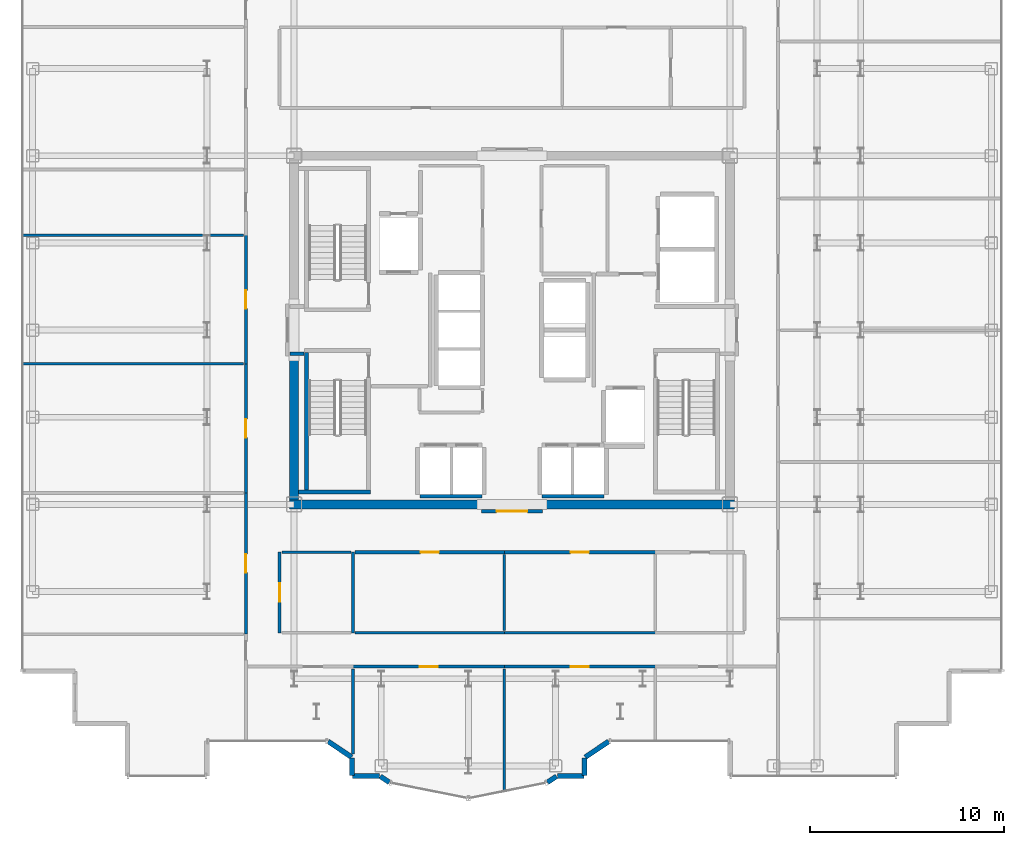
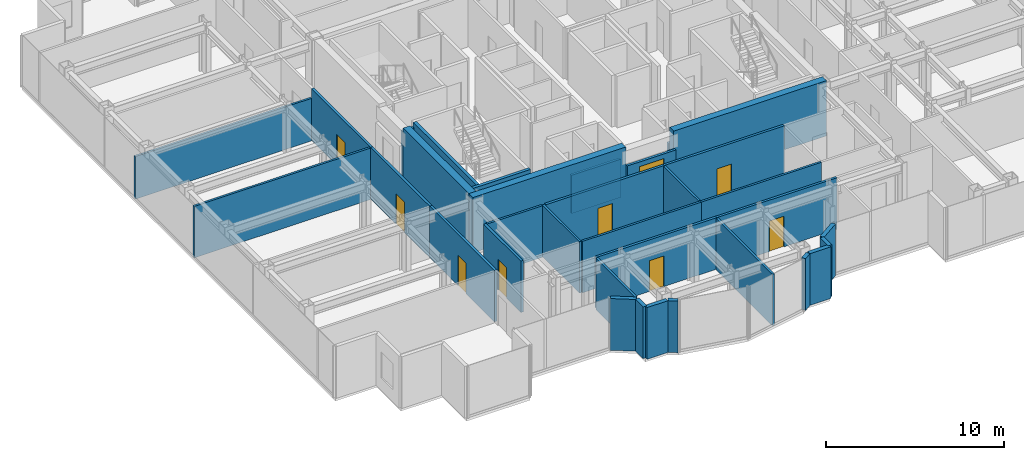
# One storey, part 14 of 20: 34 walls, 9 doors, 9 openings.
"""IFC4 building model written with IfcOpenShell, lengths in metres."""

import ifcopenshell
import ifcopenshell.guid

model = None  # the IFC model being written
_history = None  # IfcOwnerHistory: only IFC2X3 demands one
_inside = {}  # id of a spatial element -> (the spatial element, [elements in it])
_under = {}  # id of a project, library or spatial element -> (it, [spatial elements below it])
_declared = {}  # id of a project -> (the project, [libraries it declares])
_typed = {}  # id of a type object -> (the type object, [elements of that type])
_made_of = {}  # id of a material, layer set ... -> (it, [elements and type objects made of it])


def new_model(schema):
    """Start an empty IFC model of exactly this schema.

    Asked for "IFC4X3", IfcOpenShell would pick the latest addendum, in which some entities
    have other attributes; the version numbers below select the first issue.
    IFC2X3 requires an IfcOwnerHistory on every rooted entity: one is made here for all.
    """
    global model, _history
    if schema == "IFC4X3":
        model = ifcopenshell.file(schema_version=(4, 3, 0, 0))
    else:
        model = ifcopenshell.file(schema=schema)
    _inside.clear()
    _under.clear()
    _declared.clear()
    _typed.clear()
    _made_of.clear()
    _history = None
    if model.schema == "IFC2X3":
        org = make("IfcOrganization", Name="unknown")
        user = make(
            "IfcPersonAndOrganization",
            ThePerson=make("IfcPerson", FamilyName="unknown"),
            TheOrganization=org,
        )
        app = make(
            "IfcApplication",
            ApplicationDeveloper=org,
            Version="unknown",
            ApplicationFullName="unknown",
            ApplicationIdentifier="unknown",
        )
        _history = make(
            "IfcOwnerHistory",
            OwningUser=user,
            OwningApplication=app,
            ChangeAction="ADDED",
            CreationDate=0,
        )
    return model


def make(cls, **values):
    """One entity of the class cls with the attributes given. An attribute that is None is left unset."""
    return model.create_entity(
        cls, **{name: value for name, value in values.items() if value is not None}
    )


def rooted(cls, **values):
    """An entity with a GlobalId (a new one), such as an element, a storey or a relation."""
    return make(cls, GlobalId=ifcopenshell.guid.new(), OwnerHistory=_history, **values)


def si_unit(unit_type, name, prefix=None):
    """IfcSIUnit, for example si_unit("LENGTHUNIT", "METRE", prefix="MILLI")."""
    return make("IfcSIUnit", UnitType=unit_type, Prefix=prefix, Name=name)


def assignment(units):
    """IfcUnitAssignment: the units of a project."""
    return None if units is None else make("IfcUnitAssignment", Units=units)


def point(xyz):
    """IfcCartesianPoint."""
    return None if xyz is None else make("IfcCartesianPoint", Coordinates=xyz)


def direction(xyz):
    """IfcDirection."""
    return None if xyz is None else make("IfcDirection", DirectionRatios=xyz)


def frame(location, z_axis=None, x_axis=None):
    """IfcAxis2Placement3D, a coordinate frame: its origin and axes. An axis left out is left unset."""
    return make(
        "IfcAxis2Placement3D",
        Location=point(location),
        Axis=direction(z_axis),
        RefDirection=direction(x_axis),
    )


def frame_2d(location, x_axis=None):
    """IfcAxis2Placement2D, a coordinate frame in the plane: its origin and x axis."""
    return make(
        "IfcAxis2Placement2D", Location=point(location), RefDirection=direction(x_axis)
    )


def origin():
    """The frame at (0, 0, 0) with its axes left unset."""
    return frame((0.0, 0.0, 0.0))


def place(relative_to, where):
    """IfcLocalPlacement: puts the frame where relative to a parent placement (None: the world)."""
    return make(
        "IfcLocalPlacement", PlacementRelTo=relative_to, RelativePlacement=where
    )


def context(
    kind, dimensions, precision=None, world=None, true_north=None, identifier=None
):
    """IfcGeometricRepresentationContext, for example the 3D "Model" context."""
    return make(
        "IfcGeometricRepresentationContext",
        ContextIdentifier=identifier,
        ContextType=kind,
        CoordinateSpaceDimension=dimensions,
        Precision=precision,
        WorldCoordinateSystem=world,
        TrueNorth=true_north,
    )


def subcontext(parent, identifier, kind, view, scale=None):
    """IfcGeometricRepresentationSubContext, for example "Body" below "Model"."""
    return make(
        "IfcGeometricRepresentationSubContext",
        ContextIdentifier=identifier,
        ContextType=kind,
        ParentContext=parent,
        TargetScale=scale,
        TargetView=view,
    )


def project(units=None, contexts=None):
    """IfcProject with its units and contexts."""
    return rooted(
        "IfcProject",
        Name="project",
        RepresentationContexts=contexts,
        UnitsInContext=assignment(units),
    )


def spatial(cls, under=None, at=None, **own):
    """A site, building, storey or space (cls), placed at a placement, below another one or the project."""
    s = rooted(cls, ObjectPlacement=at, **own)
    if under is not None:
        _under.setdefault(under.id(), (under, []))[1].append(s)
    return s


def profile(cls, at=None, kind="AREA", **sizes):
    """A parametric profile (cls). Its sizes go by their IFC names, for example OverallWidth=200.0."""
    return make(cls, ProfileType=kind, Position=at, **sizes)


def rectangle(**sizes):
    """IfcRectangleProfileDef."""
    return profile("IfcRectangleProfileDef", **sizes)


def extrude(swept, where, along, depth):
    """IfcExtrudedAreaSolid: the profile swept, set in the frame where, extruded along a direction by depth."""
    return make(
        "IfcExtrudedAreaSolid",
        SweptArea=swept,
        Position=where,
        ExtrudedDirection=direction(along),
        Depth=depth,
    )


def shape(context_of_items, identifier, shape_type, items):
    """IfcShapeRepresentation: the items that make up one representation, for example the "Body"."""
    return make(
        "IfcShapeRepresentation",
        ContextOfItems=context_of_items,
        RepresentationIdentifier=identifier,
        RepresentationType=shape_type,
        Items=items,
    )


def source(mapping_origin, context_of_items, identifier, shape_type, items):
    """IfcRepresentationMap: a shape defined once, which mapped items show again and again."""
    return make(
        "IfcRepresentationMap",
        MappingOrigin=mapping_origin,
        MappedRepresentation=shape(context_of_items, identifier, shape_type, items),
    )


def transform(
    local_origin,
    x_axis=None,
    y_axis=None,
    z_axis=None,
    scale=None,
    scale2=None,
    scale3=None,
    uniform=True,
):
    """IfcCartesianTransformationOperator3D, or its non-uniform kind. x_axis, y_axis, z_axis: its Axis1, 2, 3."""
    if uniform:
        return make(
            "IfcCartesianTransformationOperator3D",
            Axis1=direction(x_axis),
            Axis2=direction(y_axis),
            LocalOrigin=point(local_origin),
            Scale=scale,
            Axis3=direction(z_axis),
        )
    return make(
        "IfcCartesianTransformationOperator3DnonUniform",
        Axis1=direction(x_axis),
        Axis2=direction(y_axis),
        LocalOrigin=point(local_origin),
        Scale=scale,
        Axis3=direction(z_axis),
        Scale2=scale2,
        Scale3=scale3,
    )


def mapped(mapping_source, mapping_target):
    """IfcMappedItem: shows the shape of a source again, moved by a transform."""
    return make(
        "IfcMappedItem", MappingSource=mapping_source, MappingTarget=mapping_target
    )


def material(Name=None, Category=None):
    """IfcMaterial."""
    return make("IfcMaterial", Name=Name, Category=Category)


def layer(
    of_material, thickness, ventilated=None, Name=None, Category=None, Priority=None
):
    """IfcMaterialLayer: one layer of a wall or slab, of a material (None: an air gap)."""
    return make(
        "IfcMaterialLayer",
        Material=of_material,
        LayerThickness=thickness,
        IsVentilated=ventilated,
        Name=Name,
        Category=Category,
        Priority=Priority,
    )


def layer_set(layers, Name=None):
    """IfcMaterialLayerSet."""
    return make("IfcMaterialLayerSet", MaterialLayers=layers, LayerSetName=Name)


def made_of(thing, what):
    """Note that an element or type object is made of a material, layer set ...; save() writes the relation."""
    if what is not None:
        _made_of.setdefault(what.id(), (what, []))[1].append(thing)
    return thing


def type_object(cls, material=None, **own):
    """A type object (cls), such as IfcWallType, which elements share."""
    return made_of(rooted(cls, **own), material)


def element(
    cls,
    number,
    at=None,
    inside=None,
    cuts=None,
    type_object=None,
    material=None,
    context=None,
    identifier="Body",
    shape_type=None,
    held_by="IfcProductDefinitionShape",
    body=None,
    shapes=None,
    **own,
):
    """One element of the class cls, such as IfcWall. Its Tag is "e" and its number.

    at: its placement. inside: the storey or other place that contains it. cuts: it is an
    opening in that element (IfcRelVoidsElement). A single representation is given by context,
    identifier, shape_type and body (its items); several are given by shapes. held_by: the class
    of the entity that holds the representations. save() writes the other relations.
    """
    e = rooted(cls, Tag="e%d" % number, ObjectPlacement=at, **own)
    if body is not None:
        shapes = [shape(context, identifier, shape_type, body)]
    if shapes is not None:
        e.Representation = make(held_by, Representations=shapes)
    if inside is not None:
        _inside.setdefault(inside.id(), (inside, []))[1].append(e)
    if cuts is not None:
        rooted(
            "IfcRelVoidsElement", RelatingBuildingElement=cuts, RelatedOpeningElement=e
        )
    if type_object is not None:
        _typed.setdefault(type_object.id(), (type_object, []))[1].append(e)
    return made_of(e, material)


def fill(opening, filler):
    """IfcRelFillsElement: the door or window that sits in an opening."""
    return rooted(
        "IfcRelFillsElement",
        RelatingOpeningElement=opening,
        RelatedBuildingElement=filler,
    )


def aggregate(whole, parts):
    """IfcRelAggregates: a whole, such as a stair, and the parts it consists of."""
    return rooted("IfcRelAggregates", RelatingObject=whole, RelatedObjects=parts)


def save(model, path):
    """Write the relations noted so far, then the file.

    IfcRelAggregates (storeys below a building ...), IfcRelContainedInSpatialStructure (elements
    in a storey), IfcRelDefinesByType, IfcRelAssociatesMaterial and IfcRelDeclares: one each for
    every whole, place, type object, material and project.
    """
    for whole, parts in _under.values():
        aggregate(whole, parts)
    for where, things in _inside.values():
        rooted(
            "IfcRelContainedInSpatialStructure",
            RelatedElements=things,
            RelatingStructure=where,
        )
    for kind, things in _typed.values():
        rooted("IfcRelDefinesByType", RelatedObjects=things, RelatingType=kind)
    for what, things in _made_of.values():
        rooted("IfcRelAssociatesMaterial", RelatedObjects=things, RelatingMaterial=what)
    for by, libraries in _declared.values():
        rooted("IfcRelDeclares", RelatingContext=by, RelatedDefinitions=libraries)
    model.write(path)


model = new_model("IFC4")

# Units and contexts
model_context = context("Model", 3, precision=1e-05, world=origin(), true_north=direction((0.0, 1.0)))
body_context = subcontext(model_context, "Body", "Model", "MODEL_VIEW")
ifc_project = project(units=[si_unit("LENGTHUNIT", "METRE"), si_unit("AREAUNIT", "SQUARE_METRE"), si_unit("VOLUMEUNIT", "CUBIC_METRE"), si_unit("PLANEANGLEUNIT", "RADIAN"), si_unit("MASSUNIT", "GRAM", prefix="KILO")], contexts=[model_context])

# Site, building, storey
site_placement = place(None, origin())
site = spatial("IfcSite", under=ifc_project, at=site_placement, CompositionType="ELEMENT")
building_placement = place(site_placement, origin())
building = spatial("IfcBuilding", under=site, at=building_placement, Name="Nefas-Gora Pilgrimage Tower", CompositionType="ELEMENT")
storey_placement = place(building_placement, frame((0.0, 0.0, 214.199951171875)))
storey = spatial("IfcBuildingStorey", under=building, at=storey_placement, Name="L53", CompositionType="ELEMENT", Elevation=214.199951171875)

# Walls
ifc_material_1 = material(Name="Concrete C50/60", Category="concrete")
ifc_layer_1 = layer(ifc_material_1, 0.449951171875)
ifc_layer_set_1 = layer_set([ifc_layer_1], Name="Concrete C50/60")
wall_type_1 = type_object("IfcWallType", Name="SW-CORE-450", PredefinedType="SHEAR", material=ifc_layer_set_1)
shared_shape_1 = source(origin(), body_context, "Body", "SweptSolid", [
    extrude(rectangle(XDim=9.925048828125, YDim=0.449951171875, at=frame_2d((4.96240234375, 0.0))), origin(), (0.0, 0.0, 1.0), 3.800048828125),
])
for number, where, z_axis, x_axis, name in (
    (1, (-11.47509765625, -9.0, 0.0), (0.0, 0.0, 1.0), (1.0, 0.0, 0.0), "L53 Core Shear Wall S-West"),
    (2, (1.550048828125, -9.0, 0.0), (0.0, 0.0, 1.0), (1.0, 0.0, 0.0), "L53 Core Shear Wall S-East"),
):
    element("IfcWall", number, at=place(storey_placement, frame(where, z_axis=z_axis, x_axis=x_axis)), inside=storey, type_object=wall_type_1, Name=name, PredefinedType="SHEAR", context=body_context, shape_type="MappedRepresentation", body=[
        mapped(shared_shape_1, transform((0.0, 0.0, 0.0), x_axis=(1.0, 0.0, 0.0), y_axis=(0.0, 1.0, 0.0), z_axis=(0.0, 0.0, 1.0), scale=1.0)),
    ])
shared_shape_2 = source(origin(), body_context, "Body", "SweptSolid", [
    extrude(rectangle(XDim=7.4248046875, YDim=0.449951171875, at=frame_2d((3.71240234375, 0.0))), origin(), (0.0, 0.0, 1.0), 3.800048828125),
])
wall_1_placement = place(storey_placement, frame((-11.25, -8.77490234375, 0.0), z_axis=(0.0, 0.0, 1.0), x_axis=(0.0, 1.0, 0.0)))
element("IfcWall", 3, at=wall_1_placement, inside=storey, type_object=wall_type_1, Name="L53 Core Shear Wall W-South", PredefinedType="SHEAR", context=body_context, shape_type="MappedRepresentation", body=[
    mapped(shared_shape_2, transform((0.0, 0.0, 0.0), x_axis=(1.0, 0.0, 0.0), y_axis=(0.0, 1.0, 0.0), z_axis=(0.0, 0.0, 1.0), scale=1.0)),
])
ifc_material_2 = material(Name="Precast concrete C40/50", Category="concrete")
ifc_layer_2 = layer(ifc_material_2, 0.260009765625)
ifc_layer_set_2 = layer_set([ifc_layer_2], Name="Precast concrete C40/50")
wall_type_2 = type_object("IfcWallType", Name="EW-PORTAL-260", PredefinedType="SOLIDWALL", material=ifc_layer_set_2)
shared_shape_3 = source(origin(), body_context, "Body", "SweptSolid", [
    extrude(rectangle(XDim=1.468994140625, YDim=0.260009765625, at=frame_2d((0.734375, 0.0))), origin(), (0.0, 0.0, 1.0), 3.550048828125),
])
for number, where, z_axis, x_axis, name in (
    (4, (-9.49462890625, -21.235595703125, 0.0), (0.0, 0.0, 1.0), (0.831461760506, -0.555581983884, 0.0), "L53 Lobe Shoulder Precast Spandrel Pier 29"),
    (5, (3.773193359375, -22.0517578125, 0.0), (0.0, 0.0, 1.0), (0.831461760506, 0.555581983884, 0.0), "L53 Lobe Shoulder Precast Spandrel Pier 36"),
):
    element("IfcWall", number, at=place(storey_placement, frame(where, z_axis=z_axis, x_axis=x_axis)), inside=storey, type_object=wall_type_2, Name=name, PredefinedType="SOLIDWALL", context=body_context, shape_type="MappedRepresentation", body=[
        mapped(shared_shape_3, transform((0.0, 0.0, 0.0), x_axis=(1.0, 0.0, 0.0), y_axis=(0.0, 1.0, 0.0), z_axis=(0.0, 0.0, 1.0), scale=1.0)),
    ])
shared_shape_4 = source(origin(), body_context, "Body", "SweptSolid", [
    extrude(rectangle(XDim=0.896728515625, YDim=0.260009765625, at=frame_2d((0.4482421875, 0.0))), origin(), (0.0, 0.0, 1.0), 3.550048828125),
])
for number, where, z_axis, x_axis, name in (
    (6, (-8.25, -22.09521484375, 0.0), (0.0, 0.0, 1.0), (0.0, -1.0, 0.0), "L53 Lobe Shoulder Precast Spandrel Pier 30"),
    (7, (3.75, -22.991943359375, 0.0), (0.0, 0.0, 1.0), (0.0, 1.0, 0.0), "L53 Lobe Shoulder Precast Spandrel Pier 35"),
):
    element("IfcWall", number, at=place(storey_placement, frame(where, z_axis=z_axis, x_axis=x_axis)), inside=storey, type_object=wall_type_2, Name=name, PredefinedType="SOLIDWALL", context=body_context, shape_type="MappedRepresentation", body=[
        mapped(shared_shape_4, transform((0.0, 0.0, 0.0), x_axis=(1.0, 0.0, 0.0), y_axis=(0.0, 1.0, 0.0), z_axis=(0.0, 0.0, 1.0), scale=1.0)),
    ])
shared_shape_5 = source(origin(), body_context, "Body", "SweptSolid", [
    extrude(rectangle(XDim=1.369873046875, YDim=0.260009765625, at=frame_2d((0.68505859375, 0.0))), origin(), (0.0, 0.0, 1.0), 3.550048828125),
])
for number, where, z_axis, x_axis, name in (
    (8, (-8.221923828125, -23.02001953125, 0.0), (0.0, 0.0, 1.0), (1.0, 0.0, 0.0), "L53 Lobe Shoulder Precast Spandrel Pier 31"),
    (9, (2.35205078125, -23.02001953125, 0.0), (0.0, 0.0, 1.0), (1.0, 0.0, 0.0), "L53 Lobe Shoulder Precast Spandrel Pier 34"),
):
    element("IfcWall", number, at=place(storey_placement, frame(where, z_axis=z_axis, x_axis=x_axis)), inside=storey, type_object=wall_type_2, Name=name, PredefinedType="SOLIDWALL", context=body_context, shape_type="MappedRepresentation", body=[
        mapped(shared_shape_5, transform((0.0, 0.0, 0.0), x_axis=(1.0, 0.0, 0.0), y_axis=(0.0, 1.0, 0.0), z_axis=(0.0, 0.0, 1.0), scale=1.0)),
    ])
shared_shape_6 = source(origin(), body_context, "Body", "SweptSolid", [
    extrude(rectangle(XDim=0.5654296875, YDim=0.260009765625, at=frame_2d((0.28271484375, 0.0))), origin(), (0.0, 0.0, 1.0), 3.550048828125),
])
for number, where, z_axis, x_axis, name in (
    (10, (-6.80078125, -23.03564453125, 0.0), (0.0, 0.0, 1.0), (0.831651492666, -0.555297933317, 0.0), "L53 Lobe Shoulder Precast Spandrel Pier 32"),
    (11, (1.83056640625, -23.349609375, 0.0), (0.0, 0.0, 1.0), (0.831651492666, 0.555297933317, 0.0), "L53 Lobe Shoulder Precast Spandrel Pier 33"),
):
    element("IfcWall", number, at=place(storey_placement, frame(where, z_axis=z_axis, x_axis=x_axis)), inside=storey, type_object=wall_type_2, Name=name, PredefinedType="SOLIDWALL", context=body_context, shape_type="MappedRepresentation", body=[
        mapped(shared_shape_6, transform((0.0, 0.0, 0.0), x_axis=(1.0, 0.0, 0.0), y_axis=(0.0, 1.0, 0.0), z_axis=(0.0, 0.0, 1.0), scale=1.0)),
    ])
ifc_material_3 = material(Name="Concrete C45/55", Category="concrete")
ifc_layer_3 = layer(ifc_material_3, 0.199951171875)
ifc_layer_set_3 = layer_set([ifc_layer_3], Name="Concrete C45/55")
wall_type_3 = type_object("IfcWallType", Name="IW-STAIR-200", PredefinedType="SOLIDWALL", material=ifc_layer_set_3)
shared_shape_7 = source(origin(), body_context, "Body", "SweptSolid", [
    extrude(rectangle(XDim=7.10009765625, YDim=0.199951171875, at=frame_2d((3.550048828125, 0.0))), origin(), (0.0, 0.0, 1.0), 3.800048828125),
])
wall_2_placement = place(storey_placement, frame((-10.60009765625, -1.14990234375, 0.0), z_axis=(0.0, 0.0, 1.0), x_axis=(0.0, -1.0, 0.0)))
element("IfcWall", 12, at=wall_2_placement, inside=storey, type_object=wall_type_3, Name="L53 Stairwell Shear Wall ST-03-left", PredefinedType="SOLIDWALL", context=body_context, shape_type="MappedRepresentation", body=[
    mapped(shared_shape_7, transform((0.0, 0.0, 0.0), x_axis=(1.0, 0.0, 0.0), y_axis=(0.0, 1.0, 0.0), z_axis=(0.0, 0.0, 1.0), scale=1.0)),
])
shared_shape_8 = source(origin(), body_context, "Body", "SweptSolid", [
    extrude(rectangle(XDim=3.72998046875, YDim=0.199951171875, at=frame_2d((1.864990234375, 0.0))), origin(), (0.0, 0.0, 1.0), 3.800048828125),
])
wall_3_placement = place(storey_placement, frame((-11.030029296875, -8.35009765625, 0.0), z_axis=(0.0, 0.0, 1.0), x_axis=(1.0, 0.0, 0.0)))
element("IfcWall", 13, at=wall_3_placement, inside=storey, type_object=wall_type_3, Name="L53 Stairwell Shear Wall ST-03-far", PredefinedType="SOLIDWALL", context=body_context, shape_type="MappedRepresentation", body=[
    mapped(shared_shape_8, transform((0.0, 0.0, 0.0), x_axis=(1.0, 0.0, 0.0), y_axis=(0.0, 1.0, 0.0), z_axis=(0.0, 0.0, 1.0), scale=1.0)),
])
ifc_material_4 = material(Name="Gypsum acoustic stud partition")
ifc_layer_4 = layer(ifc_material_4, 0.159912109375)
ifc_layer_set_4 = layer_set([ifc_layer_4], Name="Gypsum acoustic stud partition")
wall_type_4 = type_object("IfcWallType", Name="IW-CORR-160", PredefinedType="PARTITIONING", material=ifc_layer_set_4)
shared_shape_9 = source(origin(), body_context, "Body", "SweptSolid", [
    extrude(rectangle(XDim=3.199951171875, YDim=0.159912109375, at=frame_2d((1.60009765625, 0.0))), origin(), (0.0, 0.0, 1.0), 2.625),
])
for number, where, z_axis, x_axis, name in (
    (14, (-4.75, -8.580078125, 0.0), (0.0, 0.0, 1.0), (1.0, 0.0, 0.0), "L53 Hoistway Wall PL2-W-S"),
    (15, (1.550048828125, -8.580078125, 0.0), (0.0, 0.0, 1.0), (1.0, 0.0, 0.0), "L53 Hoistway Wall PL2-E-S"),
):
    element("IfcWall", number, at=place(storey_placement, frame(where, z_axis=z_axis, x_axis=x_axis)), inside=storey, type_object=wall_type_4, Name=name, PredefinedType="PARTITIONING", context=body_context, shape_type="MappedRepresentation", body=[
        mapped(shared_shape_9, transform((0.0, 0.0, 0.0), x_axis=(1.0, 0.0, 0.0), y_axis=(0.0, 1.0, 0.0), z_axis=(0.0, 0.0, 1.0), scale=1.0)),
    ])
ifc_material_5 = material(Name="Gypsum fire-rated shaftwall")
ifc_layer_5 = layer(ifc_material_5, 0.199951171875)
ifc_layer_set_5 = layer_set([ifc_layer_5], Name="Gypsum fire-rated shaftwall")
wall_type_5 = type_object("IfcWallType", Name="IW-FFLOB-200", PredefinedType="PARTITIONING", material=ifc_layer_set_5)
shared_shape_10 = source(origin(), body_context, "Body", "SweptSolid", [
    extrude(rectangle(XDim=0.719970703125, YDim=0.199951171875, at=frame_2d((0.35986328125, 0.0))), origin(), (0.0, 0.0, 1.0), 3.53515625),
])
wall_4_placement = place(storey_placement, frame((-11.4599609375, -1.219970703125, 0.0), z_axis=(0.0, 0.0, 1.0), x_axis=(1.0, 0.0, 0.0)))
element("IfcWall", 16, at=wall_4_placement, inside=storey, type_object=wall_type_5, Name="L53 FF Lobby West Throat S Wall 8", PredefinedType="PARTITIONING", context=body_context, shape_type="MappedRepresentation", body=[
    mapped(shared_shape_10, transform((0.0, 0.0, 0.0), x_axis=(1.0, 0.0, 0.0), y_axis=(0.0, 1.0, 0.0), z_axis=(0.0, 0.0, 1.0), scale=1.0)),
])
ifc_material_6 = material(Name="Gypsum twin-stud partition")
ifc_layer_6 = layer(ifc_material_6, 0.139892578125)
ifc_layer_set_6 = layer_set([ifc_layer_6], Name="Gypsum twin-stud partition")
wall_type_6 = type_object("IfcWallType", Name="IW-UNIT-140", PredefinedType="PARTITIONING", material=ifc_layer_set_6)
shared_shape_11 = source(origin(), body_context, "Body", "SweptSolid", [
    extrude(rectangle(XDim=11.429931640625, YDim=0.139892578125, at=frame_2d((5.71484375, 0.0))), origin(), (0.0, 0.0, 1.0), 3.53515625),
])
wall_5_placement = place(storey_placement, frame((-25.2900390625, -1.739990234375, 0.0), z_axis=(0.0, 0.0, 1.0), x_axis=(1.0, 0.0, 0.0)))
element("IfcWall", 17, at=wall_5_placement, inside=storey, type_object=wall_type_6, Name="L53 Pilgrim Tea and Beverage Pantry Partition Wall 34", PredefinedType="PARTITIONING", context=body_context, shape_type="MappedRepresentation", body=[
    mapped(shared_shape_11, transform((0.0, 0.0, 0.0), x_axis=(1.0, 0.0, 0.0), y_axis=(0.0, 1.0, 0.0), z_axis=(0.0, 0.0, 1.0), scale=1.0)),
])

# Wall, opening, door
shared_shape_12 = source(origin(), body_context, "Body", "SweptSolid", [
    extrude(rectangle(XDim=7.29248046875, YDim=0.159912109375, at=frame_2d((3.646240234375, 0.0))), origin(), (0.0, 0.0, 1.0), 3.53515625),
])
wall_6_placement = place(storey_placement, frame((-13.739990234375, -15.6875, 0.0), z_axis=(0.0, 0.0, 1.0), x_axis=(0.0, 1.0, 0.0)))
wall_6 = element("IfcWall", 18, at=wall_6_placement, inside=storey, type_object=wall_type_4, Name="L53 Pilgrim Tea and Beverage Pantry Partition Wall 30", PredefinedType="PARTITIONING", context=body_context, shape_type="MappedRepresentation", body=[
    mapped(shared_shape_12, transform((0.0, 0.0, 0.0), x_axis=(1.0, 0.0, 0.0), y_axis=(0.0, 1.0, 0.0), z_axis=(0.0, 0.0, 1.0), scale=1.0)),
])
opening_1_placement = place(wall_6_placement, frame((3.17138671875, 0.0, 0.0)))
opening_1 = element("IfcOpeningElement", 19, at=opening_1_placement, cuts=wall_6, Name="Opening ID-GR1", PredefinedType="OPENING", context=body_context, shape_type="SweptSolid", body=[
    extrude(rectangle(XDim=0.949951171875, YDim=2.10009765625, at=frame_2d((0.47509765625, 1.050048828125))), frame((0.0, 0.08984375, 0.0), z_axis=(0.0, -1.0, 0.0), x_axis=(1.0, 0.0, 0.0)), (0.0, 0.0, 1.0), 0.179931640625),
])
ifc_material_7 = material(Name="Solid core oak fire-rated guest entrance door")
door_type_1 = type_object("IfcDoorType", Name="DR-INT-GUEST-950", OperationType="NOTDEFINED", PredefinedType="DOOR", material=ifc_material_7)
shared_shape_13 = source(origin(), body_context, "Body", "SweptSolid", [
    extrude(rectangle(XDim=0.949951171875, YDim=2.10009765625, at=frame_2d((0.47509765625, 1.050048828125))), frame((0.0, 0.02490234375, 0.0), z_axis=(0.0, -1.0, 0.0), x_axis=(1.0, 0.0, 0.0)), (0.0, 0.0, 1.0), 0.050048828125),
])
door_1_placement = place(opening_1_placement, origin())
door_1 = element("IfcDoor", 20, at=door_1_placement, inside=storey, type_object=door_type_1, Name="L53 Pilgrim Tea and Beverage Pantry Door 12", OperationType="SINGLE_SWING_RIGHT", OverallHeight=2.10009765625, OverallWidth=0.949951171875, PredefinedType="DOOR", context=body_context, shape_type="MappedRepresentation", body=[
    mapped(shared_shape_13, transform((0.0, 0.0, 0.0), x_axis=(1.0, 0.0, 0.0), y_axis=(0.0, 1.0, 0.0), z_axis=(0.0, 0.0, 1.0), scale=1.0)),
])
fill(opening_1, door_1)

# Walls
shared_shape_14 = source(origin(), body_context, "Body", "SweptSolid", [
    extrude(rectangle(XDim=3.929931640625, YDim=0.139892578125, at=frame_2d((1.96484375, 0.0))), origin(), (0.0, 0.0, 1.0), 3.53515625),
])
wall_7_placement = place(storey_placement, frame((-0.405029296875, -15.52001953125, 0.0), z_axis=(0.0, 0.0, 1.0), x_axis=(0.0, 1.0, 0.0)))
element("IfcWall", 21, at=wall_7_placement, inside=storey, type_object=wall_type_6, Name="L53 Pilgrim Contemplative Lounge Partition Wall 78", PredefinedType="PARTITIONING", context=body_context, shape_type="MappedRepresentation", body=[
    mapped(shared_shape_14, transform((0.0, 0.0, 0.0), x_axis=(1.0, 0.0, 0.0), y_axis=(0.0, 1.0, 0.0), z_axis=(0.0, 0.0, 1.0), scale=1.0)),
])
shared_shape_15 = source(origin(), body_context, "Body", "SweptSolid", [
    extrude(rectangle(XDim=4.179931640625, YDim=0.139892578125, at=frame_2d((2.08984375, 0.0))), origin(), (0.0, 0.0, 1.0), 3.53515625),
])
wall_8_placement = place(storey_placement, frame((-8.205078125, -15.639892578125, 0.0), z_axis=(0.0, 0.0, 1.0), x_axis=(0.0, 1.0, 0.0)))
element("IfcWall", 22, at=wall_8_placement, inside=storey, type_object=wall_type_6, Name="L53 Pilgrim Contemplative Lounge Partition Wall 71", PredefinedType="PARTITIONING", context=body_context, shape_type="MappedRepresentation", body=[
    mapped(shared_shape_15, transform((0.0, 0.0, 0.0), x_axis=(1.0, 0.0, 0.0), y_axis=(0.0, 1.0, 0.0), z_axis=(0.0, 0.0, 1.0), scale=1.0)),
])

# Wall, opening, door
shared_shape_16 = source(origin(), body_context, "Body", "SweptSolid", [
    extrude(rectangle(XDim=4.179931640625, YDim=0.159912109375, at=frame_2d((2.08984375, 0.0))), origin(), (0.0, 0.0, 1.0), 3.53515625),
])
wall_9_placement = place(storey_placement, frame((-12.0, -15.639892578125, 0.0), z_axis=(0.0, 0.0, 1.0), x_axis=(0.0, 1.0, 0.0)))
wall_9 = element("IfcWall", 23, at=wall_9_placement, inside=storey, type_object=wall_type_4, Name="L53 Pilgrim Contemplative Lounge Partition Wall 70", PredefinedType="PARTITIONING", context=body_context, shape_type="MappedRepresentation", body=[
    mapped(shared_shape_16, transform((0.0, 0.0, 0.0), x_axis=(1.0, 0.0, 0.0), y_axis=(0.0, 1.0, 0.0), z_axis=(0.0, 0.0, 1.0), scale=1.0)),
])
opening_2_placement = place(wall_9_placement, frame((1.614990234375, 0.0, 0.0)))
opening_2 = element("IfcOpeningElement", 24, at=opening_2_placement, cuts=wall_9, Name="Opening ID-GR1", PredefinedType="OPENING", context=body_context, shape_type="SweptSolid", body=[
    extrude(rectangle(XDim=0.949951171875, YDim=2.10009765625, at=frame_2d((0.47509765625, 1.050048828125))), frame((0.0, 0.08984375, 0.0), z_axis=(0.0, -1.0, 0.0), x_axis=(1.0, 0.0, 0.0)), (0.0, 0.0, 1.0), 0.179931640625),
])
door_2_placement = place(opening_2_placement, origin())
door_2 = element("IfcDoor", 25, at=door_2_placement, inside=storey, type_object=door_type_1, Name="L53 Pilgrim Contemplative Lounge Door 32", OperationType="SINGLE_SWING_RIGHT", OverallHeight=2.10009765625, OverallWidth=0.949951171875, PredefinedType="DOOR", context=body_context, shape_type="MappedRepresentation", body=[
    mapped(shared_shape_13, transform((0.0, 0.0, 0.0), x_axis=(1.0, 0.0, 0.0), y_axis=(0.0, 1.0, 0.0), z_axis=(0.0, 0.0, 1.0), scale=1.0)),
])
fill(opening_2, door_2)

shared_shape_17 = source(origin(), body_context, "Body", "SweptSolid", [
    extrude(rectangle(XDim=7.81005859375, YDim=0.159912109375, at=frame_2d((3.905029296875, 0.0))), origin(), (0.0, 0.0, 1.0), 3.53515625),
])
wall_10_placement = place(storey_placement, frame((-8.205078125, -17.3701171875, 0.0), z_axis=(0.0, 0.0, 1.0), x_axis=(1.0, 0.0, 0.0)))
wall_10 = element("IfcWall", 26, at=wall_10_placement, inside=storey, type_object=wall_type_4, Name="L53 Pilgrim Contemplative Lounge Partition Wall 74", PredefinedType="PARTITIONING", context=body_context, shape_type="MappedRepresentation", body=[
    mapped(shared_shape_17, transform((0.0, 0.0, 0.0), x_axis=(1.0, 0.0, 0.0), y_axis=(0.0, 1.0, 0.0), z_axis=(0.0, 0.0, 1.0), scale=1.0)),
])
opening_3_placement = place(wall_10_placement, frame((3.429931640625, 0.0, 0.0)))
opening_3 = element("IfcOpeningElement", 27, at=opening_3_placement, cuts=wall_10, Name="Opening ID-GR1", PredefinedType="OPENING", context=body_context, shape_type="SweptSolid", body=[
    extrude(rectangle(XDim=0.949951171875, YDim=2.10009765625, at=frame_2d((0.47509765625, 1.050048828125))), frame((0.0, 0.08984375, 0.0), z_axis=(0.0, -1.0, 0.0), x_axis=(1.0, 0.0, 0.0)), (0.0, 0.0, 1.0), 0.179931640625),
])
door_3_placement = place(opening_3_placement, origin())
door_3 = element("IfcDoor", 28, at=door_3_placement, inside=storey, type_object=door_type_1, Name="L53 Pilgrim Contemplative Lounge Door 33", OperationType="SINGLE_SWING_LEFT", OverallHeight=2.10009765625, OverallWidth=0.949951171875, PredefinedType="DOOR", context=body_context, shape_type="MappedRepresentation", body=[
    mapped(shared_shape_13, transform((0.0, 0.0, 0.0), x_axis=(1.0, 0.0, 0.0), y_axis=(0.0, 1.0, 0.0), z_axis=(0.0, 0.0, 1.0), scale=1.0)),
])
fill(opening_3, door_3)

wall_11_placement = place(storey_placement, frame((-0.405029296875, -17.3701171875, 0.0), z_axis=(0.0, 0.0, 1.0), x_axis=(1.0, 0.0, 0.0)))
wall_11 = element("IfcWall", 29, at=wall_11_placement, inside=storey, type_object=wall_type_4, Name="L53 Pilgrim Contemplative Lounge Partition Wall 79", PredefinedType="PARTITIONING", context=body_context, shape_type="MappedRepresentation", body=[
    mapped(shared_shape_17, transform((0.0, 0.0, 0.0), x_axis=(1.0, 0.0, 0.0), y_axis=(0.0, 1.0, 0.0), z_axis=(0.0, 0.0, 1.0), scale=1.0)),
])
opening_4_placement = place(wall_11_placement, frame((3.429931640625, 0.0, 0.0)))
opening_4 = element("IfcOpeningElement", 30, at=opening_4_placement, cuts=wall_11, Name="Opening ID-GR1", PredefinedType="OPENING", context=body_context, shape_type="SweptSolid", body=[
    extrude(rectangle(XDim=0.949951171875, YDim=2.10009765625, at=frame_2d((0.47509765625, 1.050048828125))), frame((0.0, 0.08984375, 0.0), z_axis=(0.0, -1.0, 0.0), x_axis=(1.0, 0.0, 0.0)), (0.0, 0.0, 1.0), 0.179931640625),
])
door_4_placement = place(opening_4_placement, origin())
door_4 = element("IfcDoor", 31, at=door_4_placement, inside=storey, type_object=door_type_1, Name="L53 Pilgrim Contemplative Lounge Door 35", OperationType="SINGLE_SWING_LEFT", OverallHeight=2.10009765625, OverallWidth=0.949951171875, PredefinedType="DOOR", context=body_context, shape_type="MappedRepresentation", body=[
    mapped(shared_shape_13, transform((0.0, 0.0, 0.0), x_axis=(1.0, 0.0, 0.0), y_axis=(0.0, 1.0, 0.0), z_axis=(0.0, 0.0, 1.0), scale=1.0)),
])
fill(opening_4, door_4)

wall_12_placement = place(storey_placement, frame((-0.405029296875, -11.469970703125, 0.0), z_axis=(0.0, 0.0, 1.0), x_axis=(1.0, 0.0, 0.0)))
wall_12 = element("IfcWall", 32, at=wall_12_placement, inside=storey, type_object=wall_type_4, Name="L53 Pilgrim Contemplative Lounge Partition Wall 81", PredefinedType="PARTITIONING", context=body_context, shape_type="MappedRepresentation", body=[
    mapped(shared_shape_17, transform((0.0, 0.0, 0.0), x_axis=(1.0, 0.0, 0.0), y_axis=(0.0, 1.0, 0.0), z_axis=(0.0, 0.0, 1.0), scale=1.0)),
])
opening_5_placement = place(wall_12_placement, frame((3.429931640625, 0.0, 0.0)))
opening_5 = element("IfcOpeningElement", 33, at=opening_5_placement, cuts=wall_12, Name="Opening ID-GR1", PredefinedType="OPENING", context=body_context, shape_type="SweptSolid", body=[
    extrude(rectangle(XDim=0.949951171875, YDim=2.10009765625, at=frame_2d((0.47509765625, 1.050048828125))), frame((0.0, 0.08984375, 0.0), z_axis=(0.0, -1.0, 0.0), x_axis=(1.0, 0.0, 0.0)), (0.0, 0.0, 1.0), 0.179931640625),
])
door_5_placement = place(opening_5_placement, origin())
door_5 = element("IfcDoor", 34, at=door_5_placement, inside=storey, type_object=door_type_1, Name="L53 Pilgrim Contemplative Lounge Door 36", OperationType="SINGLE_SWING_RIGHT", OverallHeight=2.10009765625, OverallWidth=0.949951171875, PredefinedType="DOOR", context=body_context, shape_type="MappedRepresentation", body=[
    mapped(shared_shape_13, transform((0.0, 0.0, 0.0), x_axis=(1.0, 0.0, 0.0), y_axis=(0.0, 1.0, 0.0), z_axis=(0.0, 0.0, 1.0), scale=1.0)),
])
fill(opening_5, door_5)

# Wall
shared_shape_18 = source(origin(), body_context, "Body", "SweptSolid", [
    extrude(rectangle(XDim=7.81005859375, YDim=0.139892578125, at=frame_2d((3.905029296875, 0.0))), origin(), (0.0, 0.0, 1.0), 3.53515625),
])
wall_13_placement = place(storey_placement, frame((-0.405029296875, -15.6298828125, 0.0), z_axis=(0.0, 0.0, 1.0), x_axis=(1.0, 0.0, 0.0)))
element("IfcWall", 35, at=wall_13_placement, inside=storey, type_object=wall_type_6, Name="L53 Pilgrim Contemplative Lounge Partition Wall 82", PredefinedType="PARTITIONING", context=body_context, shape_type="MappedRepresentation", body=[
    mapped(shared_shape_18, transform((0.0, 0.0, 0.0), x_axis=(1.0, 0.0, 0.0), y_axis=(0.0, 1.0, 0.0), z_axis=(0.0, 0.0, 1.0), scale=1.0)),
])

# Wall, opening, door
shared_shape_19 = source(origin(), body_context, "Body", "SweptSolid", [
    extrude(rectangle(XDim=3.16015625, YDim=0.159912109375, at=frame_2d((1.580078125, 0.0))), origin(), (0.0, 0.0, 1.0), 2.625),
])
wall_14_placement = place(storey_placement, frame((-1.580078125, -9.35009765625, 0.0), z_axis=(0.0, 0.0, 1.0), x_axis=(1.0, 0.0, 0.0)))
wall_14 = element("IfcWall", 36, at=wall_14_placement, inside=storey, type_object=wall_type_4, Name="L53 Central Lift Lobby South Portal Wall 16", PredefinedType="PARTITIONING", context=body_context, shape_type="MappedRepresentation", body=[
    mapped(shared_shape_19, transform((0.0, 0.0, 0.0), x_axis=(1.0, 0.0, 0.0), y_axis=(0.0, 1.0, 0.0), z_axis=(0.0, 0.0, 1.0), scale=1.0)),
])
opening_6_placement = place(wall_14_placement, frame((0.780029296875, 0.0, 0.0)))
opening_6 = element("IfcOpeningElement", 37, at=opening_6_placement, cuts=wall_14, Name="Opening ID-HL1", PredefinedType="OPENING", context=body_context, shape_type="SweptSolid", body=[
    extrude(rectangle(XDim=1.60009765625, YDim=2.300048828125, at=frame_2d((0.800048828125, 1.14990234375))), frame((0.0, 0.08984375, 0.0), z_axis=(0.0, -1.0, 0.0), x_axis=(1.0, 0.0, 0.0)), (0.0, 0.0, 1.0), 0.179931640625),
])
ifc_material_8 = material(Name="Double acoustic timber assembly hall door", Category="wood")
door_type_2 = type_object("IfcDoorType", Name="DR-INT-HALL-1600", OperationType="DOUBLE_DOOR_SINGLE_SWING", PredefinedType="DOOR", material=ifc_material_8)
shared_shape_20 = source(origin(), body_context, "Body", "SweptSolid", [
    extrude(rectangle(XDim=1.60009765625, YDim=2.300048828125, at=frame_2d((0.800048828125, 1.14990234375))), frame((0.0, 0.02490234375, 0.0), z_axis=(0.0, -1.0, 0.0), x_axis=(1.0, 0.0, 0.0)), (0.0, 0.0, 1.0), 0.050048828125),
])
door_6_placement = place(opening_6_placement, origin())
door_6 = element("IfcDoor", 38, at=door_6_placement, inside=storey, type_object=door_type_2, Name="L53 Central Lift Lobby South Portal Door 6", OperationType="DOUBLE_DOOR_SINGLE_SWING", OverallHeight=2.300048828125, OverallWidth=1.60009765625, PredefinedType="DOOR", context=body_context, shape_type="MappedRepresentation", body=[
    mapped(shared_shape_20, transform((0.0, 0.0, 0.0), x_axis=(1.0, 0.0, 0.0), y_axis=(0.0, 1.0, 0.0), z_axis=(0.0, 0.0, 1.0), scale=1.0)),
])
fill(opening_6, door_6)

shared_shape_21 = source(origin(), body_context, "Body", "SweptSolid", [
    extrude(rectangle(XDim=6.655029296875, YDim=0.159912109375, at=frame_2d((3.32763671875, 0.0))), origin(), (0.0, 0.0, 1.0), 3.53515625),
])
wall_15_placement = place(storey_placement, frame((-13.739990234375, -1.75, 0.0), z_axis=(0.0, 0.0, 1.0), x_axis=(0.0, 1.0, 0.0)))
wall_15 = element("IfcWall", 39, at=wall_15_placement, inside=storey, type_object=wall_type_4, Name="L53 Pilgrim Tea and Beverage Pantry Partition Wall 32", PredefinedType="PARTITIONING", context=body_context, shape_type="MappedRepresentation", body=[
    mapped(shared_shape_21, transform((0.0, 0.0, 0.0), x_axis=(1.0, 0.0, 0.0), y_axis=(0.0, 1.0, 0.0), z_axis=(0.0, 0.0, 1.0), scale=1.0)),
])
opening_7_placement = place(wall_15_placement, frame((2.8525390625, 0.0, 0.0)))
opening_7 = element("IfcOpeningElement", 40, at=opening_7_placement, cuts=wall_15, Name="Opening ID-GR1", PredefinedType="OPENING", context=body_context, shape_type="SweptSolid", body=[
    extrude(rectangle(XDim=0.949951171875, YDim=2.10009765625, at=frame_2d((0.47509765625, 1.050048828125))), frame((0.0, 0.08984375, 0.0), z_axis=(0.0, -1.0, 0.0), x_axis=(1.0, 0.0, 0.0)), (0.0, 0.0, 1.0), 0.179931640625),
])
door_7_placement = place(opening_7_placement, origin())
door_7 = element("IfcDoor", 41, at=door_7_placement, inside=storey, type_object=door_type_1, Name="L53 Pilgrim Tea and Beverage Pantry Door 13", OperationType="SINGLE_SWING_LEFT", OverallHeight=2.10009765625, OverallWidth=0.949951171875, PredefinedType="DOOR", context=body_context, shape_type="MappedRepresentation", body=[
    mapped(shared_shape_13, transform((0.0, 0.0, 0.0), x_axis=(1.0, 0.0, 0.0), y_axis=(0.0, 1.0, 0.0), z_axis=(0.0, 0.0, 1.0), scale=1.0)),
])
fill(opening_7, door_7)

wall_16_placement = place(storey_placement, frame((-13.739990234375, -8.405029296875, 0.0), z_axis=(0.0, 0.0, 1.0), x_axis=(0.0, 1.0, 0.0)))
wall_16 = element("IfcWall", 42, at=wall_16_placement, inside=storey, type_object=wall_type_4, Name="L53 Pilgrim Tea and Beverage Pantry Partition Wall 35", PredefinedType="PARTITIONING", context=body_context, shape_type="MappedRepresentation", body=[
    mapped(shared_shape_21, transform((0.0, 0.0, 0.0), x_axis=(1.0, 0.0, 0.0), y_axis=(0.0, 1.0, 0.0), z_axis=(0.0, 0.0, 1.0), scale=1.0)),
])
opening_8_placement = place(wall_16_placement, frame((2.8525390625, 0.0, 0.0)))
opening_8 = element("IfcOpeningElement", 43, at=opening_8_placement, cuts=wall_16, Name="Opening ID-GR1", PredefinedType="OPENING", context=body_context, shape_type="SweptSolid", body=[
    extrude(rectangle(XDim=0.949951171875, YDim=2.10009765625, at=frame_2d((0.47509765625, 1.050048828125))), frame((0.0, 0.08984375, 0.0), z_axis=(0.0, -1.0, 0.0), x_axis=(1.0, 0.0, 0.0)), (0.0, 0.0, 1.0), 0.179931640625),
])
door_8_placement = place(opening_8_placement, origin())
door_8 = element("IfcDoor", 44, at=door_8_placement, inside=storey, type_object=door_type_1, Name="L53 Pilgrim Tea and Beverage Pantry Door 14", OperationType="SINGLE_SWING_RIGHT", OverallHeight=2.10009765625, OverallWidth=0.949951171875, PredefinedType="DOOR", context=body_context, shape_type="MappedRepresentation", body=[
    mapped(shared_shape_13, transform((0.0, 0.0, 0.0), x_axis=(1.0, 0.0, 0.0), y_axis=(0.0, 1.0, 0.0), z_axis=(0.0, 0.0, 1.0), scale=1.0)),
])
fill(opening_8, door_8)

# Walls
shared_shape_22 = source(origin(), body_context, "Body", "SweptSolid", [
    extrude(rectangle(XDim=11.429931640625, YDim=0.139892578125, at=frame_2d((5.71484375, 0.0))), origin(), (0.0, 0.0, 1.0), 2.925048828125),
])
wall_17_placement = place(storey_placement, frame((-25.2900390625, 4.89501953125, 0.0), z_axis=(0.0, 0.0, 1.0), x_axis=(1.0, 0.0, 0.0)))
element("IfcWall", 45, at=wall_17_placement, inside=storey, type_object=wall_type_6, Name="L53 Pilgrim Tea and Beverage Pantry Partition Wall 33", PredefinedType="PARTITIONING", context=body_context, shape_type="MappedRepresentation", body=[
    mapped(shared_shape_22, transform((0.0, 0.0, 0.0), x_axis=(1.0, 0.0, 0.0), y_axis=(0.0, 1.0, 0.0), z_axis=(0.0, 0.0, 1.0), scale=1.0)),
])
shared_shape_23 = source(origin(), body_context, "Body", "SweptSolid", [
    extrude(rectangle(XDim=4.4052734375, YDim=0.139892578125, at=frame_2d((2.20263671875, 0.0))), origin(), (0.0, 0.0, 1.0), 3.53515625),
])
wall_18_placement = place(storey_placement, frame((-8.205078125, -21.895263671875, 0.0), z_axis=(0.0, 0.0, 1.0), x_axis=(0.0, 1.0, 0.0)))
element("IfcWall", 46, at=wall_18_placement, inside=storey, type_object=wall_type_6, Name="L53 Pilgrim Contemplative Lounge Partition Wall 69", PredefinedType="PARTITIONING", context=body_context, shape_type="MappedRepresentation", body=[
    mapped(shared_shape_23, transform((0.0, 0.0, 0.0), x_axis=(1.0, 0.0, 0.0), y_axis=(0.0, 1.0, 0.0), z_axis=(0.0, 0.0, 1.0), scale=1.0)),
])
shared_shape_24 = source(origin(), body_context, "Body", "SweptSolid", [
    extrude(rectangle(XDim=3.56494140625, YDim=0.139892578125, at=frame_2d((1.782470703125, 0.0))), origin(), (0.0, 0.0, 1.0), 3.53515625),
])
wall_19_placement = place(storey_placement, frame((-11.8798828125, -11.469970703125, 0.0), z_axis=(0.0, 0.0, 1.0), x_axis=(1.0, 0.0, 0.0)))
element("IfcWall", 47, at=wall_19_placement, inside=storey, type_object=wall_type_6, Name="L53 Pilgrim Contemplative Lounge Partition Wall 72", PredefinedType="PARTITIONING", context=body_context, shape_type="MappedRepresentation", body=[
    mapped(shared_shape_24, transform((0.0, 0.0, 0.0), x_axis=(1.0, 0.0, 0.0), y_axis=(0.0, 1.0, 0.0), z_axis=(0.0, 0.0, 1.0), scale=1.0)),
])
shared_shape_25 = source(origin(), body_context, "Body", "SweptSolid", [
    extrude(rectangle(XDim=6.335693359375, YDim=0.139892578125, at=frame_2d((3.16796875, 0.0))), origin(), (0.0, 0.0, 1.0), 3.53515625),
])
wall_20_placement = place(storey_placement, frame((-0.405029296875, -23.82568359375, 0.0), z_axis=(0.0, 0.0, 1.0), x_axis=(0.0, 1.0, 0.0)))
element("IfcWall", 48, at=wall_20_placement, inside=storey, type_object=wall_type_6, Name="L53 Pilgrim Contemplative Lounge Partition Wall 75", PredefinedType="PARTITIONING", context=body_context, shape_type="MappedRepresentation", body=[
    mapped(shared_shape_25, transform((0.0, 0.0, 0.0), x_axis=(1.0, 0.0, 0.0), y_axis=(0.0, 1.0, 0.0), z_axis=(0.0, 0.0, 1.0), scale=1.0)),
])

# Wall, opening, door
shared_shape_26 = source(origin(), body_context, "Body", "SweptSolid", [
    extrude(rectangle(XDim=7.699951171875, YDim=0.159912109375, at=frame_2d((3.85009765625, 0.0))), origin(), (0.0, 0.0, 1.0), 3.53515625),
])
wall_21_placement = place(storey_placement, frame((-8.094970703125, -11.469970703125, 0.0), z_axis=(0.0, 0.0, 1.0), x_axis=(1.0, 0.0, 0.0)))
wall_21 = element("IfcWall", 49, at=wall_21_placement, inside=storey, type_object=wall_type_4, Name="L53 Pilgrim Contemplative Lounge Partition Wall 76", PredefinedType="PARTITIONING", context=body_context, shape_type="MappedRepresentation", body=[
    mapped(shared_shape_26, transform((0.0, 0.0, 0.0), x_axis=(1.0, 0.0, 0.0), y_axis=(0.0, 1.0, 0.0), z_axis=(0.0, 0.0, 1.0), scale=1.0)),
])
opening_9_placement = place(wall_21_placement, frame((3.375, 0.0, 0.0)))
opening_9 = element("IfcOpeningElement", 50, at=opening_9_placement, cuts=wall_21, Name="Opening ID-GR1", PredefinedType="OPENING", context=body_context, shape_type="SweptSolid", body=[
    extrude(rectangle(XDim=0.949951171875, YDim=2.10009765625, at=frame_2d((0.47509765625, 1.050048828125))), frame((0.0, 0.08984375, 0.0), z_axis=(0.0, -1.0, 0.0), x_axis=(1.0, 0.0, 0.0)), (0.0, 0.0, 1.0), 0.179931640625),
])
door_9_placement = place(opening_9_placement, origin())
door_9 = element("IfcDoor", 51, at=door_9_placement, inside=storey, type_object=door_type_1, Name="L53 Pilgrim Contemplative Lounge Door 34", OperationType="SINGLE_SWING_RIGHT", OverallHeight=2.10009765625, OverallWidth=0.949951171875, PredefinedType="DOOR", context=body_context, shape_type="MappedRepresentation", body=[
    mapped(shared_shape_13, transform((0.0, 0.0, 0.0), x_axis=(1.0, 0.0, 0.0), y_axis=(0.0, 1.0, 0.0), z_axis=(0.0, 0.0, 1.0), scale=1.0)),
])
fill(opening_9, door_9)

# Wall
shared_shape_27 = source(origin(), body_context, "Body", "SweptSolid", [
    extrude(rectangle(XDim=7.699951171875, YDim=0.139892578125, at=frame_2d((3.85009765625, 0.0))), origin(), (0.0, 0.0, 1.0), 3.53515625),
])
wall_22_placement = place(storey_placement, frame((-8.094970703125, -15.6298828125, 0.0), z_axis=(0.0, 0.0, 1.0), x_axis=(1.0, 0.0, 0.0)))
element("IfcWall", 52, at=wall_22_placement, inside=storey, type_object=wall_type_6, Name="L53 Pilgrim Contemplative Lounge Partition Wall 77", PredefinedType="PARTITIONING", context=body_context, shape_type="MappedRepresentation", body=[
    mapped(shared_shape_27, transform((0.0, 0.0, 0.0), x_axis=(1.0, 0.0, 0.0), y_axis=(0.0, 1.0, 0.0), z_axis=(0.0, 0.0, 1.0), scale=1.0)),
])

save(model, "model.ifc")
